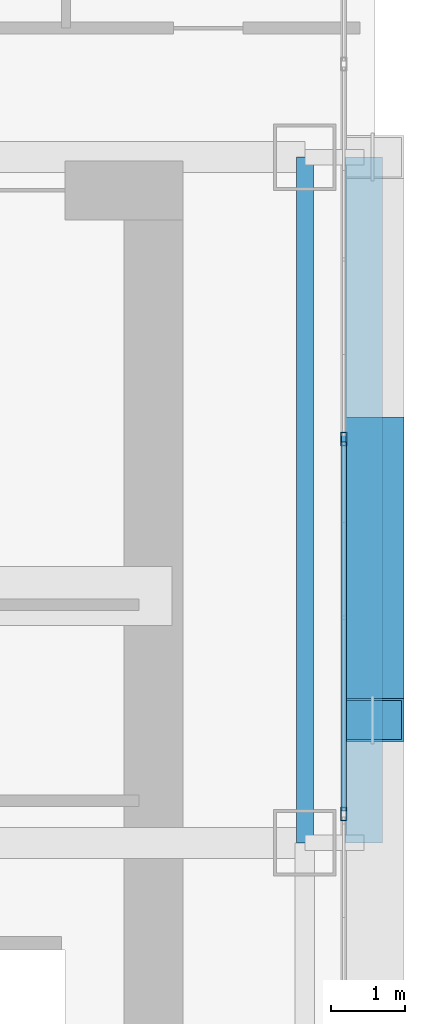
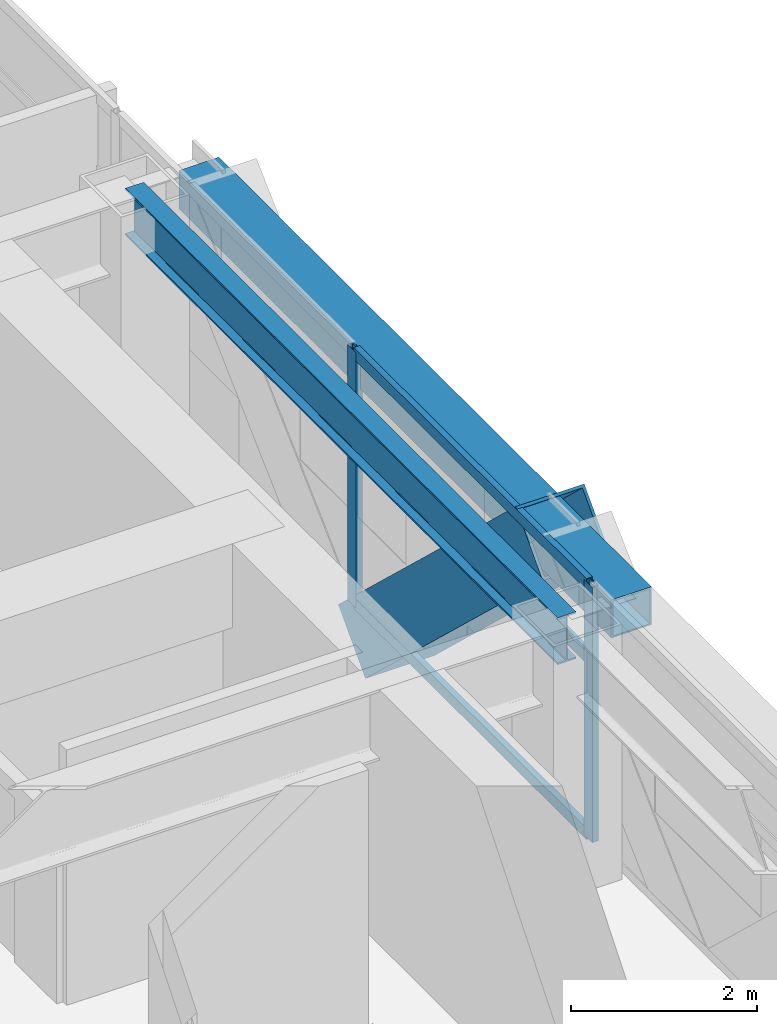
# One storey, part 15 of 38: 6 members, 2 beams, 1 element without a shape of its own.
"""IFC4 building model written with IfcOpenShell, lengths in metres."""

from ifc_helpers import new_model, si_unit, direction, frame, origin, origin_2d, place, context, subcontext, project, spatial, hollow_rectangle, i_section, extrude, source, transform, mapped, material, layer, layer_set, material_profile, profile_set, type_object, element, aggregate, save


model = new_model("IFC4")

# Units and contexts
model_context = context("Model", 3, precision=1e-05, world=origin(), true_north=direction((0.0, 1.0)))
body_context = subcontext(model_context, "Body", "Model", "MODEL_VIEW")
ifc_project = project(units=[si_unit("LENGTHUNIT", "METRE"), si_unit("AREAUNIT", "SQUARE_METRE"), si_unit("VOLUMEUNIT", "CUBIC_METRE"), si_unit("PLANEANGLEUNIT", "RADIAN"), si_unit("MASSUNIT", "GRAM", prefix="KILO")], contexts=[model_context])

# Site, building, storey
site_placement = place(None, origin())
site = spatial("IfcSite", under=ifc_project, at=site_placement, CompositionType="ELEMENT")
building_placement = place(site_placement, origin())
building = spatial("IfcBuilding", under=site, at=building_placement, Name="Ocotamira Hotel", CompositionType="ELEMENT")
storey_placement = place(building_placement, frame((0.0, 0.0, 74.39990234375)))
storey = spatial("IfcBuildingStorey", under=building, at=storey_placement, Name="L18", CompositionType="ELEMENT", Elevation=74.39990234375)

# Beams
ifc_material_1 = material(Name="Steel ASTM A992 Grade 50", Category="steel")
ifc_material_profile_1 = material_profile(ifc_material_1, i_section(OverallWidth=0.22998046875, OverallDepth=0.616943359375, WebThickness=0.01318359375, FlangeThickness=0.022216796875, FilletRadius=0.012939453125, at=origin_2d()), Name="W24X94")
ifc_profile_set_1 = profile_set([ifc_material_profile_1], Name="Steel ASTM A992 Grade 50")
beam_type_1 = type_object("IfcBeamType", Name="BM-PRIM-W24X94", PredefinedType="BEAM", material=ifc_profile_set_1)
shared_shape_1 = source(origin(), body_context, "Body", "SweptSolid", [
    extrude(i_section(OverallWidth=0.22998046875, OverallDepth=0.616943359375, WebThickness=0.01318359375, FlangeThickness=0.022216796875, FilletRadius=0.012939453125, at=origin_2d()), origin(), (0.0, 0.0, 1.0), 9.300048828125),
])
beam_1_placement = place(storey_placement, frame((55.050048828125, 28.14990234375, 3.04150390625), z_axis=(0.0, 1.0, 0.0), x_axis=(-1.0, 0.0, 0.0)))
element("IfcBeam", 1, at=beam_1_placement, inside=storey, type_object=beam_type_1, Name="L18 Beam X55.05 Y28.15-37.45", PredefinedType="BEAM", context=body_context, shape_type="MappedRepresentation", body=[
    mapped(shared_shape_1, transform((0.0, 0.0, 0.0), scale=1.0)),
])
ifc_material_2 = material(Name="Steel ASTM A500 Grade C", Category="steel")
ifc_material_profile_2 = material_profile(ifc_material_2, hollow_rectangle(XDim=0.5, YDim=0.5, WallThickness=0.02001953125, at=origin_2d()), Name="HSS500X500X20")
ifc_profile_set_2 = profile_set([ifc_material_profile_2], Name="Steel ASTM A500 Grade C")
beam_type_2 = type_object("IfcBeamType", Name="BM-SPAN-HSS500", PredefinedType="USERDEFINED", material=ifc_profile_set_2)
shared_shape_2 = source(origin(), body_context, "Body", "SweptSolid", [
    extrude(hollow_rectangle(XDim=0.5, YDim=0.5, WallThickness=0.02001953125, at=origin_2d()), origin(), (0.0, 0.0, 1.0), 9.300048828125),
])
beam_2_placement = place(storey_placement, frame((55.85009765625, 28.14990234375, 3.10009765625), z_axis=(0.0, 1.0, 0.0), x_axis=(-1.0, 0.0, 0.0)))
element("IfcBeam", 2, at=beam_2_placement, inside=storey, type_object=beam_type_2, Name="L18 Edge Spandrel E Y28.15-37.45", ObjectType="SPANDREL", PredefinedType="USERDEFINED", context=body_context, shape_type="MappedRepresentation", body=[
    mapped(shared_shape_2, transform((0.0, 0.0, 0.0), scale=1.0)),
])

# Member
ifc_material_3 = material(Name="Pale-metal coated steel ASTM A913 Grade 65", Category="steel")
ifc_material_profile_3 = material_profile(ifc_material_3, hollow_rectangle(XDim=0.85009765625, YDim=0.85009765625, WallThickness=0.035888671875, at=origin_2d()), Name="BOX850X850X36")
ifc_profile_set_3 = profile_set([ifc_material_profile_3], Name="Pale-metal coated steel ASTM A913 Grade 65")
member_type_1 = type_object("IfcMemberType", Name="MEM-EXO-BOX850", PredefinedType="BRACE", material=ifc_profile_set_3)
shared_shape_3 = source(origin(), body_context, "Body", "SweptSolid", [
    extrude(hollow_rectangle(XDim=0.85009765625, YDim=0.85009765625, WallThickness=0.035888671875, at=origin_2d()), origin(), (0.0, 0.0, 1.0), 5.24658203125),
])
member_1_placement = place(storey_placement, frame((55.969970703125, 33.63330078125, -0.5), z_axis=(0.0, -0.727442733726, 0.686168397078), x_axis=(1.0, 0.0, 0.0)))
element("IfcMember", 3, at=member_1_placement, inside=storey, type_object=member_type_1, Name="L18 Exoskeleton Diagrid E2.1", PredefinedType="BRACE", context=body_context, shape_type="MappedRepresentation", body=[
    mapped(shared_shape_3, transform((0.0, 0.0, 0.0), scale=1.0)),
])

# Curtain wall, members
ifc_material_4 = material(Name="Anodised pale-metal aluminium and solar glass", Category="aluminium")
ifc_layer = layer(ifc_material_4, 0.179931640625)
ifc_layer_set = layer_set([ifc_layer], Name="Anodised pale-metal aluminium and solar glass")
curtain_wall_type = type_object("IfcCurtainWallType", Name="CW-SYS2-Z1", PredefinedType="NOTDEFINED", material=ifc_layer_set)
curtain_wall_placement = place(storey_placement, origin())
curtain_wall = element("IfcCurtainWall", 4, at=curtain_wall_placement, inside=storey, type_object=curtain_wall_type, Name="L18 Curtain Wall CW-2 CW-L18-E", PredefinedType="NOTDEFINED")
ifc_material_5 = material(Name="Anodised pale-metal aluminium 6063-T6", Category="aluminium")
ifc_material_profile_4 = material_profile(ifc_material_5, hollow_rectangle(XDim=0.074951171875, YDim=0.14990234375, WallThickness=0.006103515625, at=origin_2d()), Name="HSS150X75X6")
ifc_profile_set_4 = profile_set([ifc_material_profile_4], Name="Anodised pale-metal aluminium 6063-T6")
member_type_2 = type_object("IfcMemberType", Name="CWT-150X75", PredefinedType="USERDEFINED", material=ifc_profile_set_4)
shared_shape_4 = source(origin(), body_context, "Body", "SweptSolid", [
    extrude(hollow_rectangle(XDim=0.074951171875, YDim=0.14990234375, WallThickness=0.006103515625, at=origin_2d()), origin(), (0.0, 0.0, 1.0), 5.005859375),
])
member_2_placement = place(storey_placement, frame((55.580078125, 28.582763671875, 0.03759765625), z_axis=(0.0, 1.0, 0.0), x_axis=(-1.0, 0.0, 0.0)))
member_2 = element("IfcMember", 5, at=member_2_placement, type_object=member_type_2, Name="CW-2 transom 5.1", ObjectType="TRANSOM", PredefinedType="USERDEFINED", context=body_context, shape_type="MappedRepresentation", body=[
    mapped(shared_shape_4, transform((0.0, 0.0, 0.0), scale=1.0)),
])
member_3_placement = place(storey_placement, frame((55.580078125, 28.582763671875, 2.35009765625), z_axis=(0.0, 1.0, 0.0), x_axis=(-1.0, 0.0, 0.0)))
member_3 = element("IfcMember", 6, at=member_3_placement, type_object=member_type_2, Name="CW-2 transom 5.2", ObjectType="TRANSOM", PredefinedType="USERDEFINED", context=body_context, shape_type="MappedRepresentation", body=[
    mapped(shared_shape_4, transform((0.0, 0.0, 0.0), scale=1.0)),
])
member_4_placement = place(storey_placement, frame((55.580078125, 28.582763671875, 3.3125), z_axis=(0.0, 1.0, 0.0), x_axis=(-1.0, 0.0, 0.0)))
member_4 = element("IfcMember", 7, at=member_4_placement, type_object=member_type_2, Name="CW-2 transom 5.3", ObjectType="TRANSOM", PredefinedType="USERDEFINED", context=body_context, shape_type="MappedRepresentation", body=[
    mapped(shared_shape_4, transform((0.0, 0.0, 0.0), scale=1.0)),
])
ifc_material_profile_5 = material_profile(ifc_material_5, hollow_rectangle(XDim=0.080078125, YDim=0.179931640625, WallThickness=0.006103515625, at=origin_2d()), Name="HSS180X80X6")
ifc_profile_set_5 = profile_set([ifc_material_profile_5], Name="Anodised pale-metal aluminium 6063-T6")
member_type_3 = type_object("IfcMemberType", Name="CWM-180X75", PredefinedType="MULLION", material=ifc_profile_set_5)
shared_shape_5 = source(origin(), body_context, "Body", "SweptSolid", [
    extrude(hollow_rectangle(XDim=0.080078125, YDim=0.179931640625, WallThickness=0.006103515625, at=origin_2d()), origin(), (0.0, 0.0, 1.0), 3.35009765625),
])
member_5_placement = place(storey_placement, frame((55.580078125, 28.54296875, 0.0), z_axis=(0.0, 0.0, 1.0), x_axis=(-1.0, 0.0, 0.0)))
member_5 = element("IfcMember", 8, at=member_5_placement, type_object=member_type_3, Name="CW-2 mullion 5", PredefinedType="MULLION", context=body_context, shape_type="MappedRepresentation", body=[
    mapped(shared_shape_5, transform((0.0, 0.0, 0.0), scale=1.0)),
])
member_6_placement = place(storey_placement, frame((55.580078125, 33.628662109375, 0.0), z_axis=(0.0, 0.0, 1.0), x_axis=(-1.0, 0.0, 0.0)))
member_6 = element("IfcMember", 9, at=member_6_placement, type_object=member_type_3, Name="CW-2 mullion 6", PredefinedType="MULLION", context=body_context, shape_type="MappedRepresentation", body=[
    mapped(shared_shape_5, transform((0.0, 0.0, 0.0), scale=1.0)),
])
aggregate(curtain_wall, [member_5, member_6, member_2, member_3, member_4])

save(model, "model.ifc")
